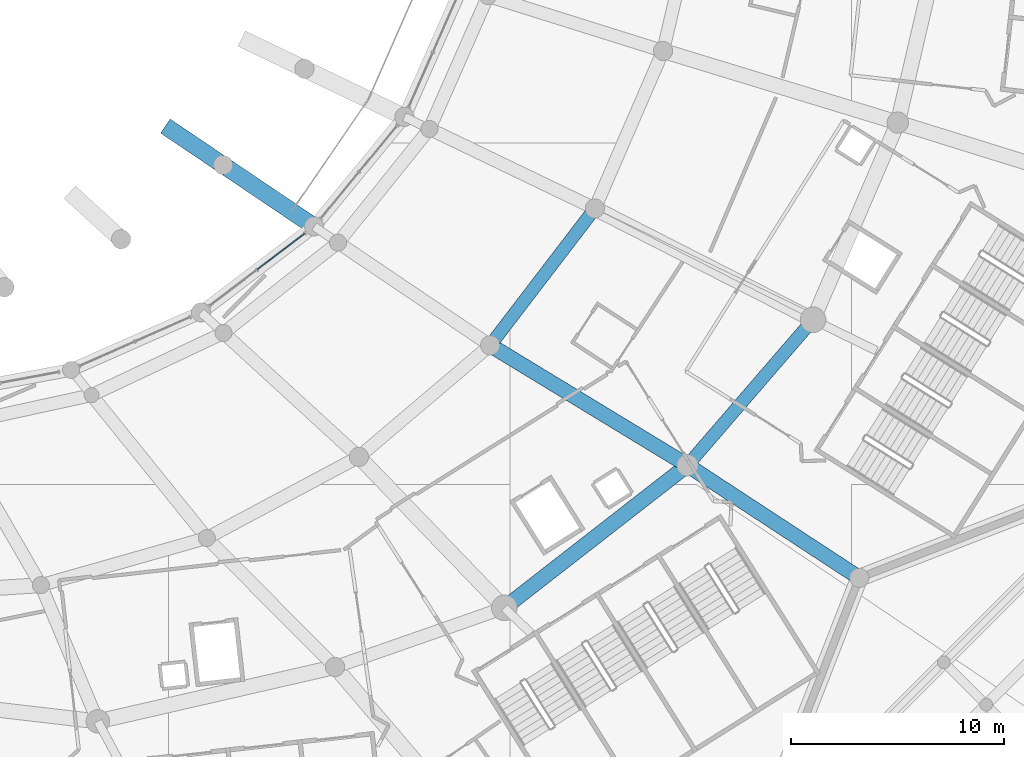
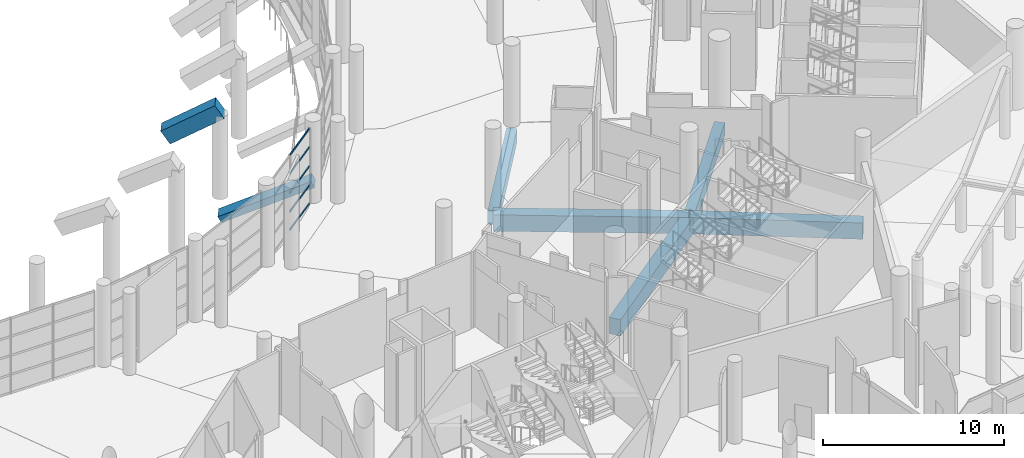
# One storey, part 47 of 271: 7 beams, 5 members, 1 element without a shape of its own.
"""IFC4 building model written with IfcOpenShell, lengths in metres."""

from ifc_helpers import new_model, si_unit, direction, frame, origin, origin_2d, place, context, subcontext, project, spatial, rectangle, extrude, material, layer, layer_set, material_profile, profile_set, type_object, element, aggregate, save


model = new_model("IFC4")

# Units and contexts
model_context = context("Model", 3, precision=1e-05, world=origin(), true_north=direction((0.0, 1.0)))
body_context = subcontext(model_context, "Body", "Model", "MODEL_VIEW")
ifc_project = project(units=[si_unit("LENGTHUNIT", "METRE"), si_unit("AREAUNIT", "SQUARE_METRE"), si_unit("VOLUMEUNIT", "CUBIC_METRE"), si_unit("PLANEANGLEUNIT", "RADIAN"), si_unit("MASSUNIT", "GRAM", prefix="KILO")], contexts=[model_context])

# Site, building, storey
site_placement = place(None, origin())
site = spatial("IfcSite", under=ifc_project, at=site_placement, CompositionType="ELEMENT")
building_placement = place(site_placement, origin())
building = spatial("IfcBuilding", under=site, at=building_placement, Name="Meseta Stadium", CompositionType="ELEMENT")
storey_placement = place(building_placement, frame((0.0, 0.0, 6.5)))
storey = spatial("IfcBuildingStorey", under=building, at=storey_placement, Name="L01", CompositionType="ELEMENT", Elevation=6.5)

# Curtain wall, members
ifc_material_1 = material(Name="Aluminium", Category="aluminium")
ifc_layer = layer(ifc_material_1, 0.199951171875)
ifc_layer_set = layer_set([ifc_layer], Name="Club glazing curtain wall")
curtain_wall_type = type_object("IfcCurtainWallType", Name="Club glazing curtain wall", PredefinedType="NOTDEFINED", material=ifc_layer_set)
curtain_wall_placement = place(storey_placement, origin())
curtain_wall = element("IfcCurtainWall", 1, at=curtain_wall_placement, inside=storey, type_object=curtain_wall_type, Name="Club glazing bay 52", PredefinedType="NOTDEFINED")
ifc_material_2 = material(Name="Aluminium", Category="aluminium")
ifc_material_profile_1 = material_profile(ifc_material_2, rectangle(XDim=0.06005859375, YDim=0.1201171875, at=origin_2d()), Name="CW 60x120")
ifc_profile_set_1 = profile_set([ifc_material_profile_1], Name="Aluminium")
member_type = type_object("IfcMemberType", Name="CW transom 60x120", PredefinedType="USERDEFINED", material=ifc_profile_set_1)
member_1_placement = place(storey_placement, frame((52.17041015625, -69.912109375, 0.06005859375), z_axis=(0.796579631183, 0.604533614603, 0.0), x_axis=(-0.604533614603, 0.796579631183, 0.0)))
member_1 = element("IfcMember", 2, at=member_1_placement, type_object=member_type, Name="CWC transom 2.1", ObjectType="TRANSOM", PredefinedType="USERDEFINED", context=body_context, shape_type="SweptSolid", body=[
    extrude(rectangle(XDim=0.06005859375, YDim=0.1201171875, at=origin_2d()), origin(), (0.0, 0.0, 1.0), 2.760009765625),
])
member_2_placement = place(storey_placement, frame((52.17041015625, -69.912109375, 1.28759765625), z_axis=(0.796579631183, 0.604533614603, 0.0), x_axis=(-0.604533614603, 0.796579631183, 0.0)))
member_2 = element("IfcMember", 3, at=member_2_placement, type_object=member_type, Name="CWC transom 2.2", ObjectType="TRANSOM", PredefinedType="USERDEFINED", context=body_context, shape_type="SweptSolid", body=[
    extrude(rectangle(XDim=0.06005859375, YDim=0.1201171875, at=origin_2d()), origin(), (0.0, 0.0, 1.0), 2.760009765625),
])
member_3_placement = place(storey_placement, frame((52.17041015625, -69.912109375, 2.574951171875), z_axis=(0.796579631183, 0.604533614603, 0.0), x_axis=(-0.604533614603, 0.796579631183, 0.0)))
member_3 = element("IfcMember", 4, at=member_3_placement, type_object=member_type, Name="CWC transom 2.3", ObjectType="TRANSOM", PredefinedType="USERDEFINED", context=body_context, shape_type="SweptSolid", body=[
    extrude(rectangle(XDim=0.06005859375, YDim=0.1201171875, at=origin_2d()), origin(), (0.0, 0.0, 1.0), 2.760009765625),
])
member_4_placement = place(storey_placement, frame((52.17041015625, -69.912109375, 3.862548828125), z_axis=(0.796579631183, 0.604533614603, 0.0), x_axis=(-0.604533614603, 0.796579631183, 0.0)))
member_4 = element("IfcMember", 5, at=member_4_placement, type_object=member_type, Name="CWC transom 2.4", ObjectType="TRANSOM", PredefinedType="USERDEFINED", context=body_context, shape_type="SweptSolid", body=[
    extrude(rectangle(XDim=0.06005859375, YDim=0.1201171875, at=origin_2d()), origin(), (0.0, 0.0, 1.0), 2.760009765625),
])
member_5_placement = place(storey_placement, frame((52.17041015625, -69.912109375, 5.090087890625), z_axis=(0.796579631183, 0.604533614603, 0.0), x_axis=(-0.604533614603, 0.796579631183, 0.0)))
member_5 = element("IfcMember", 6, at=member_5_placement, type_object=member_type, Name="CWC transom 2.5", ObjectType="TRANSOM", PredefinedType="USERDEFINED", context=body_context, shape_type="SweptSolid", body=[
    extrude(rectangle(XDim=0.06005859375, YDim=0.1201171875, at=origin_2d()), origin(), (0.0, 0.0, 1.0), 2.760009765625),
])
aggregate(curtain_wall, [member_1, member_2, member_3, member_4, member_5])

# Beams
ifc_material_3 = material(Name="Concrete C40/50", Category="concrete")
ifc_material_profile_2 = material_profile(ifc_material_3, rectangle(XDim=0.60009765625, YDim=0.89990234375, at=origin_2d()), Name="RC 600x900")
ifc_profile_set_2 = profile_set([ifc_material_profile_2], Name="Concrete C40/50")
beam_type_1 = type_object("IfcBeamType", Name="RC beam 600x900", PredefinedType="BEAM", material=ifc_profile_set_2)
beam_1_placement = place(storey_placement, frame((63.068115234375, -73.469970703125, -0.800048828125), z_axis=(0.607521948786, 0.794302890428, 0.0), x_axis=(-0.794302890428, 0.607521948786, 0.0)))
element("IfcBeam", 7, at=beam_1_placement, inside=storey, type_object=beam_type_1, Name="L01 ring beam frame 53 line E", PredefinedType="BEAM", context=body_context, shape_type="SweptSolid", body=[
    extrude(rectangle(XDim=0.60009765625, YDim=0.89990234375, at=origin_2d()), origin(), (0.0, 0.0, 1.0), 8.072509765625),
])
beam_2_placement = place(storey_placement, frame((72.31201171875, -79.091064453125, -0.800048828125), z_axis=(0.653414508663, 0.757000316954, 0.0), x_axis=(-0.757000316954, 0.653414508663, 0.0)))
element("IfcBeam", 8, at=beam_2_placement, inside=storey, type_object=beam_type_1, Name="L01 ring beam frame 53 line P", PredefinedType="BEAM", context=body_context, shape_type="SweptSolid", body=[
    extrude(rectangle(XDim=0.60009765625, YDim=0.89990234375, at=origin_2d()), origin(), (0.0, 0.0, 1.0), 9.008056640625),
])
ifc_material_4 = material(Name="Concrete C40/50", Category="concrete")
ifc_material_profile_3 = material_profile(ifc_material_4, rectangle(XDim=0.699951171875, YDim=1.10009765625, at=origin_2d()), Name="RC 700x1100")
ifc_profile_set_3 = profile_set([ifc_material_profile_3], Name="Concrete C40/50")
beam_type_2 = type_object("IfcBeamType", Name="RC beam 700x1100", PredefinedType="BEAM", material=ifc_profile_set_3)
beam_3_placement = place(storey_placement, frame((63.731201171875, -85.77099609375, -0.89990234375), z_axis=(0.789086185012, 0.614282502293, 0.0), x_axis=(-0.614282502293, 0.789086185012, 0.0)))
element("IfcBeam", 9, at=beam_3_placement, inside=storey, type_object=beam_type_2, Name="L01 ring beam frame 52 line P", PredefinedType="BEAM", context=body_context, shape_type="SweptSolid", body=[
    extrude(rectangle(XDim=0.699951171875, YDim=1.10009765625, at=origin_2d()), origin(), (0.0, 0.0, 1.0), 10.874267578125),
])
beam_4_placement = place(storey_placement, frame((63.068115234375, -73.469970703125, -0.89990234375), z_axis=(0.854429426189, -0.519567469788, 0.0), x_axis=(0.519567469788, 0.854429426189, 0.0)))
element("IfcBeam", 10, at=beam_4_placement, inside=storey, type_object=beam_type_2, Name="L01 radial beam frame 53 line E to P", PredefinedType="BEAM", context=body_context, shape_type="SweptSolid", body=[
    extrude(rectangle(XDim=0.699951171875, YDim=1.10009765625, at=origin_2d()), origin(), (0.0, 0.0, 1.0), 10.81884765625),
])
beam_5_placement = place(storey_placement, frame((72.31201171875, -79.091064453125, -0.89990234375), z_axis=(0.836556122728, -0.547881240349, 0.0), x_axis=(0.547881240349, 0.836556122728, 0.0)))
element("IfcBeam", 11, at=beam_5_placement, inside=storey, type_object=beam_type_2, Name="L01 radial beam frame 53 line P to R", PredefinedType="BEAM", context=body_context, shape_type="SweptSolid", body=[
    extrude(rectangle(XDim=0.699951171875, YDim=1.10009765625, at=origin_2d()), origin(), (0.0, 0.0, 1.0), 9.626953125),
])
ifc_material_5 = material(Name="Concrete C40/50", Category="concrete")
ifc_material_profile_4 = material_profile(ifc_material_5, rectangle(XDim=0.800048828125, YDim=0.449951171875, at=origin_2d()), Name="RC 800x450")
ifc_profile_set_4 = profile_set([ifc_material_profile_4], Name="Concrete C40/50")
beam_type_3 = type_object("IfcBeamType", Name="RC raker lower 800x450", PredefinedType="USERDEFINED", material=ifc_profile_set_4)
beam_6_placement = place(storey_placement, frame((50.552978515625, -65.021240234375, -1.389892578125), z_axis=(0.738740532827, -0.498721721578, 0.453364168836), x_axis=(0.559528241414, 0.828811285553, 0.0)))
element("IfcBeam", 12, at=beam_6_placement, inside=storey, type_object=beam_type_3, Name="Raker lower frame 53 lower tier", ObjectType="RAKER", PredefinedType="USERDEFINED", context=body_context, shape_type="SweptSolid", body=[
    extrude(rectangle(XDim=0.800048828125, YDim=0.449951171875, at=origin_2d()), origin(), (0.0, 0.0, 1.0), 5.775390625),
])
ifc_material_6 = material(Name="Concrete C40/50", Category="concrete")
ifc_material_profile_5 = material_profile(ifc_material_6, rectangle(XDim=0.800048828125, YDim=1.0, at=origin_2d()), Name="RC 800x1000")
ifc_profile_set_5 = profile_set([ifc_material_profile_5], Name="Concrete C40/50")
beam_type_4 = type_object("IfcBeamType", Name="RC raker upper front 800x1000", PredefinedType="USERDEFINED", material=ifc_profile_set_5)
beam_7_placement = place(storey_placement, frame((48.06640625, -63.3427734375, 3.998779296875), z_axis=(0.703375507404, -0.47478709999, 0.528999154316), x_axis=(0.559479843293, 0.828843956936, 0.0)))
element("IfcBeam", 13, at=beam_7_placement, inside=storey, type_object=beam_type_4, Name="Raker upper front frame 53 upper tier", ObjectType="RAKER", PredefinedType="USERDEFINED", context=body_context, shape_type="SweptSolid", body=[
    extrude(rectangle(XDim=0.800048828125, YDim=1.0, at=origin_2d()), origin(), (0.0, 0.0, 1.0), 3.53515625),
])

save(model, "model.ifc")
